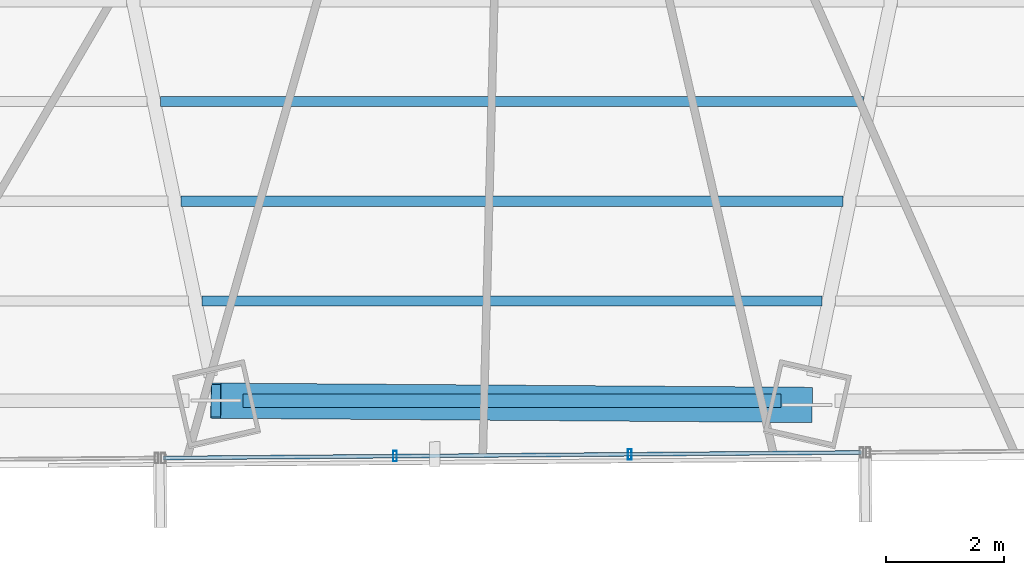
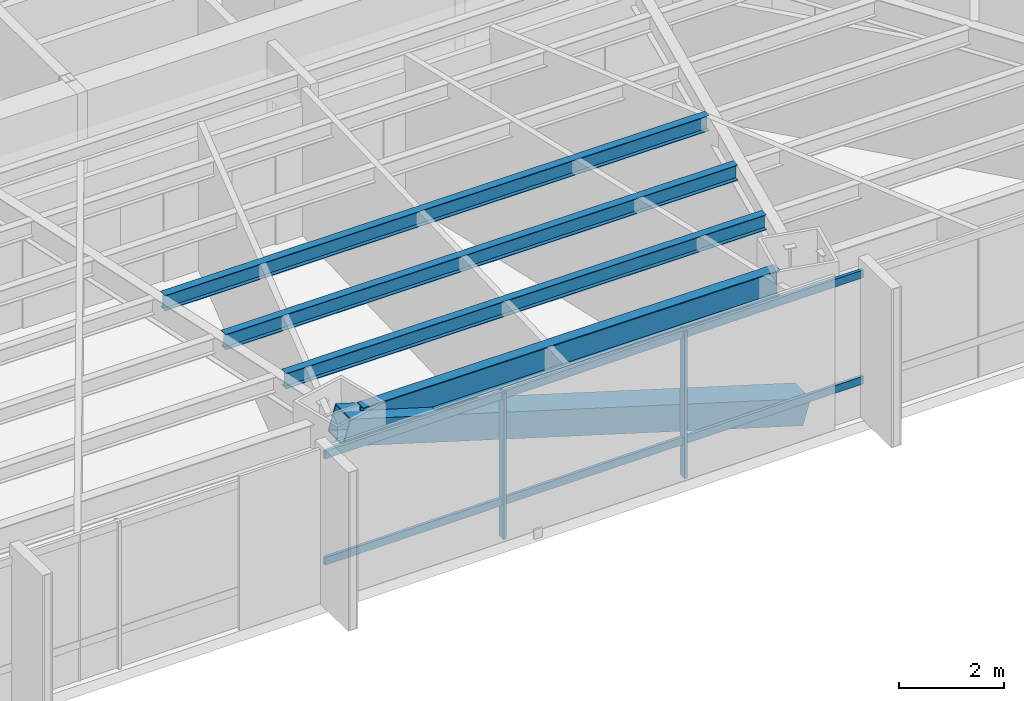
# One storey, part 9 of 36: 5 members, 4 beams, 1 element without a shape of its own.
"""IFC4 building model written with IfcOpenShell, lengths in metres."""

from ifc_helpers import new_model, si_unit, direction, frame, origin, origin_2d, place, context, subcontext, project, spatial, hollow_rectangle, i_section, extrude, source, transform, mapped, material, material_profile, profile_set, type_object, type_shapes, element, aggregate, save


model = new_model("IFC4")

# Units and contexts
model_context = context("Model", 3, precision=1e-05, world=origin(), true_north=direction((0.0, 1.0)))
body_context = subcontext(model_context, "Body", "Model", "MODEL_VIEW")
ifc_project = project(units=[si_unit("LENGTHUNIT", "METRE"), si_unit("AREAUNIT", "SQUARE_METRE"), si_unit("VOLUMEUNIT", "CUBIC_METRE"), si_unit("PLANEANGLEUNIT", "RADIAN"), si_unit("MASSUNIT", "GRAM", prefix="KILO")], contexts=[model_context])

# Site, building, storey
site_placement = place(None, origin())
site = spatial("IfcSite", under=ifc_project, at=site_placement, CompositionType="ELEMENT")
building_placement = place(site_placement, origin())
building = spatial("IfcBuilding", under=site, at=building_placement, Name="Caelisora Broadcast Tower", CompositionType="ELEMENT")
storey_placement = place(building_placement, frame((0.0, 0.0, 60.449951171875)))
storey = spatial("IfcBuildingStorey", under=building, at=storey_placement, Name="L15", CompositionType="ELEMENT", Elevation=60.449951171875)

# Beams
ifc_material_1 = material(Name="Steel Grade 350 (AS/NZS 3679.1)", Category="steel")
ifc_material_profile_1 = material_profile(ifc_material_1, i_section(OverallWidth=0.22900390625, OverallDepth=0.611572265625, WebThickness=0.011962890625, FlangeThickness=0.01953125, at=origin_2d()), Name="Steel Grade 350 (AS/NZS 3679.1)")
ifc_profile_set_1 = profile_set([ifc_material_profile_1], Name="Steel Grade 350 (AS/NZS 3679.1)")
beam_type_1 = type_object("IfcBeamType", Name="PG03", PredefinedType="BEAM", material=ifc_profile_set_1)
shared_shape_1 = source(origin(), body_context, "Body", "SweptSolid", [
    extrude(i_section(OverallWidth=0.22900390625, OverallDepth=0.611572265625, WebThickness=0.011962890625, FlangeThickness=0.01953125, at=origin_2d()), origin(), (0.0, 0.0, 1.0), 9.16259765625),
])
type_shapes(beam_type_1, [shared_shape_1])
beam_1_placement = place(storey_placement, frame((33.418701171875, 5.52294921875, 3.09423828125), z_axis=(1.0, 0.0, 0.0), x_axis=(0.0, 1.0, 0.0)))
element("IfcBeam", 1, at=beam_1_placement, inside=storey, type_object=beam_type_1, Name="L15 beam PG03", PredefinedType="BEAM", context=body_context, shape_type="MappedRepresentation", body=[
    mapped(shared_shape_1, transform((0.0, 0.0, 0.0), scale=1.0)),
])
ifc_material_profile_2 = material_profile(ifc_material_1, i_section(OverallWidth=0.172119140625, OverallDepth=0.358642578125, WebThickness=0.008056640625, FlangeThickness=0.012939453125, at=origin_2d()), Name="Steel Grade 350 (AS/NZS 3679.1)")
ifc_profile_set_2 = profile_set([ifc_material_profile_2], Name="Steel Grade 350 (AS/NZS 3679.1)")
beam_type_2 = type_object("IfcBeamType", Name="SB02", PredefinedType="JOIST", material=ifc_profile_set_2)
shared_shape_2 = source(origin(), body_context, "Body", "SweptSolid", [
    extrude(i_section(OverallWidth=0.172119140625, OverallDepth=0.358642578125, WebThickness=0.008056640625, FlangeThickness=0.012939453125, at=origin_2d()), origin(), (0.0, 0.0, 1.0), 11.96337890625),
])
beam_2_placement = place(storey_placement, frame((32.018310546875, 10.613037109375, 3.220703125), z_axis=(1.0, 0.0, 0.0), x_axis=(0.0, 1.0, 0.0)))
element("IfcBeam", 2, at=beam_2_placement, inside=storey, type_object=beam_type_2, Name="L15 beam SB02", PredefinedType="JOIST", context=body_context, shape_type="MappedRepresentation", body=[
    mapped(shared_shape_2, transform((0.0, 0.0, 0.0), scale=1.0)),
])
shared_shape_3 = source(origin(), body_context, "Body", "SweptSolid", [
    extrude(i_section(OverallWidth=0.172119140625, OverallDepth=0.358642578125, WebThickness=0.008056640625, FlangeThickness=0.012939453125, at=origin_2d()), origin(), (0.0, 0.0, 1.0), 11.2607421875),
])
beam_3_placement = place(storey_placement, frame((32.36962890625, 8.91650390625, 3.220703125), z_axis=(1.0, 0.0, 0.0), x_axis=(0.0, 1.0, 0.0)))
element("IfcBeam", 3, at=beam_3_placement, inside=storey, type_object=beam_type_2, Name="L15 beam SB02", PredefinedType="JOIST", context=body_context, shape_type="MappedRepresentation", body=[
    mapped(shared_shape_3, transform((0.0, 0.0, 0.0), scale=1.0)),
])
shared_shape_4 = source(origin(), body_context, "Body", "SweptSolid", [
    extrude(i_section(OverallWidth=0.172119140625, OverallDepth=0.358642578125, WebThickness=0.008056640625, FlangeThickness=0.012939453125, at=origin_2d()), origin(), (0.0, 0.0, 1.0), 10.55810546875),
])
type_shapes(beam_type_2, [shared_shape_2, shared_shape_3, shared_shape_4])
beam_4_placement = place(storey_placement, frame((32.720947265625, 7.2197265625, 3.220703125), z_axis=(1.0, 0.0, 0.0), x_axis=(0.0, 1.0, 0.0)))
element("IfcBeam", 4, at=beam_4_placement, inside=storey, type_object=beam_type_2, Name="L15 beam SB02", PredefinedType="JOIST", context=body_context, shape_type="MappedRepresentation", body=[
    mapped(shared_shape_4, transform((0.0, 0.0, 0.0), scale=1.0)),
])

# Member
ifc_material_2 = material(Name="Steel Grade 450 L15 (AS/NZS 3678)", Category="steel")
ifc_material_profile_3 = material_profile(ifc_material_2, hollow_rectangle(XDim=0.60009765625, YDim=0.60009765625, WallThickness=0.02490234375, at=origin_2d()), Name="Steel Grade 450 L15 (AS/NZS 3678)")
ifc_profile_set_3 = profile_set([ifc_material_profile_3], Name="Steel Grade 450 L15 (AS/NZS 3678)")
member_type_1 = type_object("IfcMemberType", Name="BR01", PredefinedType="BRACE", material=ifc_profile_set_3)
shared_shape_5 = source(origin(), body_context, "Body", "SweptSolid", [
    extrude(hollow_rectangle(XDim=0.60009765625, YDim=0.60009765625, WallThickness=0.02490234375, at=origin_2d()), origin(), (0.0, 0.0, 1.0), 10.50390625),
])
type_shapes(member_type_1, [shared_shape_5])
member_1_placement = place(storey_placement, frame((32.958740234375, 5.52294921875, 3.10009765625), z_axis=(0.958322131279, -0.006879856197, -0.285607003205), x_axis=(0.007178879303, 0.999974231514, 0.0)))
element("IfcMember", 5, at=member_1_placement, inside=storey, type_object=member_type_1, Name="L15 perimeter brace BR01", PredefinedType="BRACE", context=body_context, shape_type="MappedRepresentation", body=[
    mapped(shared_shape_5, transform((0.0, 0.0, 0.0), scale=1.0)),
])

# Curtain wall, members
ifc_material_3 = material(Name="Unitised Aluminium Insulated Shadow-Box Spandrel Curtain Wall", Category="aluminium")
curtain_wall_type = type_object("IfcCurtainWallType", Name="CW-SP1", PredefinedType="NOTDEFINED", material=ifc_material_3)
curtain_wall_placement = place(storey_placement, origin())
curtain_wall = element("IfcCurtainWall", 6, at=curtain_wall_placement, inside=storey, type_object=curtain_wall_type, Name="L15 curtain wall CW-SP1", PredefinedType="NOTDEFINED")
ifc_material_4 = material(Name="Aluminium 6063-T6 Anodised Terracotta Bronze", Category="aluminium")
ifc_material_profile_4 = material_profile(ifc_material_4, hollow_rectangle(XDim=0.06494140625, YDim=0.179931640625, WallThickness=0.00341796875, at=origin_2d()), Name="Aluminium 6063-T6 Anodised Terracotta Bronze")
ifc_profile_set_4 = profile_set([ifc_material_profile_4], Name="Aluminium 6063-T6 Anodised Terracotta Bronze")
member_type_2 = type_object("IfcMemberType", Name="CWM-02", PredefinedType="MULLION", material=ifc_profile_set_4)
shared_shape_6 = source(origin(), body_context, "Body", "SweptSolid", [
    extrude(hollow_rectangle(XDim=0.06494140625, YDim=0.179931640625, WallThickness=0.00341796875, at=origin_2d()), origin(), (0.0, 0.0, 1.0), 3.400146484375),
])
type_shapes(member_type_2, [shared_shape_6])
member_2_placement = place(storey_placement, frame((40.0048828125, 4.60986328125, 0.0), z_axis=(0.0, 0.0, 1.0), x_axis=(1.0, 0.0, 0.0)))
member_2 = element("IfcMember", 7, at=member_2_placement, type_object=member_type_2, Name="L15-CW-B06 mullion #1", PredefinedType="MULLION", context=body_context, shape_type="MappedRepresentation", body=[
    mapped(shared_shape_6, transform((0.0, 0.0, 0.0), scale=1.0)),
])
member_3_placement = place(storey_placement, frame((36.008544921875, 4.578125, 0.0), z_axis=(0.0, 0.0, 1.0), x_axis=(1.0, 0.0, 0.0)))
member_3 = element("IfcMember", 8, at=member_3_placement, type_object=member_type_2, Name="L15-CW-B06 mullion #2", PredefinedType="MULLION", context=body_context, shape_type="MappedRepresentation", body=[
    mapped(shared_shape_6, transform((0.0, 0.0, 0.0), scale=1.0)),
])
ifc_material_profile_5 = material_profile(ifc_material_4, hollow_rectangle(XDim=0.06494140625, YDim=0.179931640625, WallThickness=0.00341796875, at=origin_2d()), Name="Aluminium 6063-T6 Anodised Terracotta Bronze")
ifc_profile_set_5 = profile_set([ifc_material_profile_5], Name="Aluminium 6063-T6 Anodised Terracotta Bronze")
member_type_3 = type_object("IfcMemberType", Name="CWT-01", PredefinedType="USERDEFINED", material=ifc_profile_set_5)
shared_shape_7 = source(origin(), body_context, "Body", "SweptSolid", [
    extrude(hollow_rectangle(XDim=0.06494140625, YDim=0.179931640625, WallThickness=0.00341796875, at=origin_2d()), origin(), (0.0, 0.0, 1.0), 11.8896484375),
])
type_shapes(member_type_3, [shared_shape_7])
member_4_placement = place(storey_placement, frame((43.951416015625, 4.641357421875, 0.85009765625), z_axis=(-0.999968261198, -0.007967220119, 0.0), x_axis=(0.007967220119, -0.999968261198, 0.0)))
member_4 = element("IfcMember", 9, at=member_4_placement, type_object=member_type_3, Name="L15-CW-B06 transom #1", ObjectType="TRANSOM", PredefinedType="USERDEFINED", context=body_context, shape_type="MappedRepresentation", body=[
    mapped(shared_shape_7, transform((0.0, 0.0, 0.0), scale=1.0)),
])
member_5_placement = place(storey_placement, frame((43.951416015625, 4.641357421875, 3.320068359375), z_axis=(-0.999968261198, -0.007967220119, 0.0), x_axis=(0.007967220119, -0.999968261198, 0.0)))
member_5 = element("IfcMember", 10, at=member_5_placement, type_object=member_type_3, Name="L15-CW-B06 transom #2", ObjectType="TRANSOM", PredefinedType="USERDEFINED", context=body_context, shape_type="MappedRepresentation", body=[
    mapped(shared_shape_7, transform((0.0, 0.0, 0.0), scale=1.0)),
])
aggregate(curtain_wall, [member_2, member_3, member_4, member_5])

save(model, "model.ifc")
